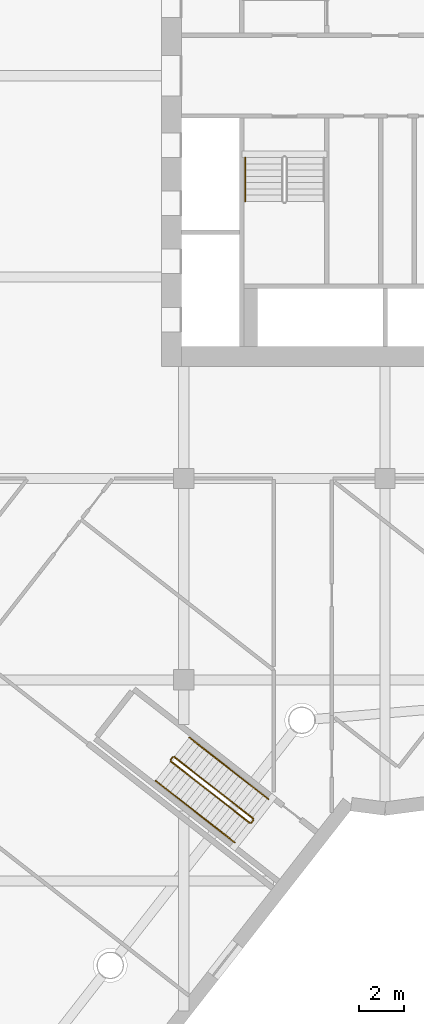
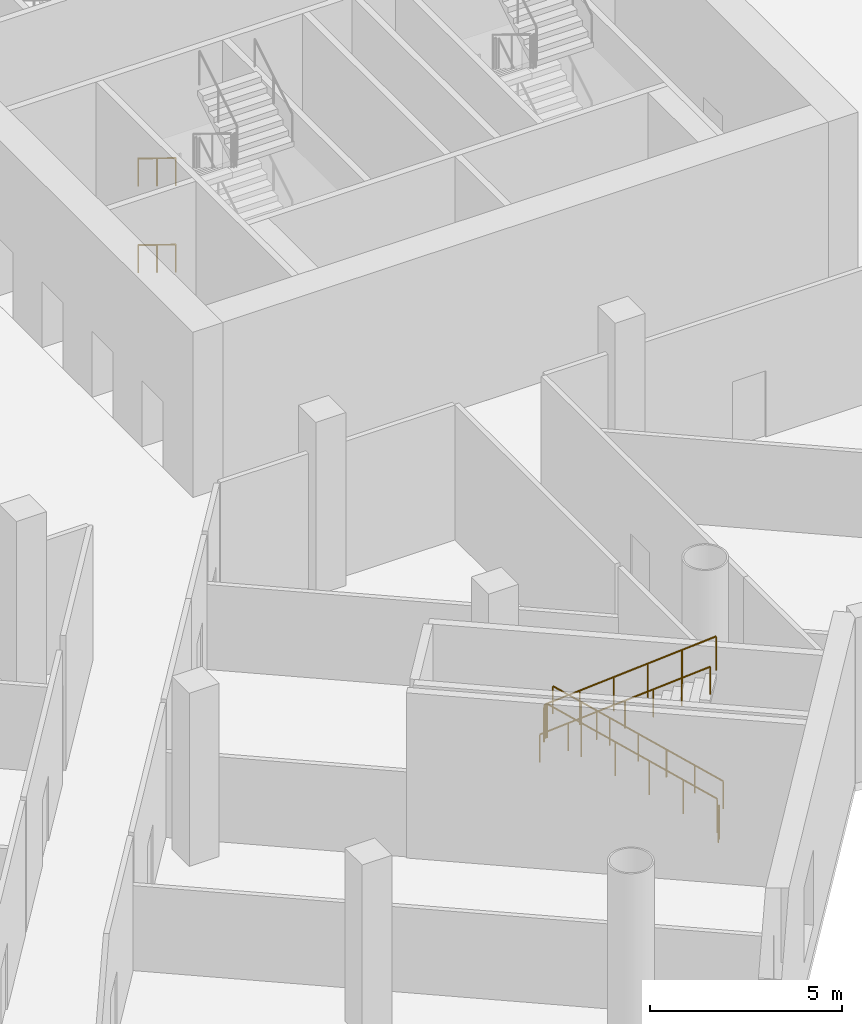
# One storey, part 20 of 23: 12 railings.
"""IFC4 building model written with IfcOpenShell, lengths in metres."""

from ifc_helpers import new_model, si_unit, direction, frame, origin, origin_2d, place, context, subcontext, project, spatial, circle, extrude, material, type_object, element, save


model = new_model("IFC4")

# Units and contexts
model_context = context("Model", 3, precision=1e-05, world=origin(), true_north=direction((0.0, 1.0)))
body_context = subcontext(model_context, "Body", "Model", "MODEL_VIEW")
ifc_project = project(units=[si_unit("LENGTHUNIT", "METRE"), si_unit("AREAUNIT", "SQUARE_METRE"), si_unit("VOLUMEUNIT", "CUBIC_METRE"), si_unit("PLANEANGLEUNIT", "RADIAN"), si_unit("MASSUNIT", "GRAM", prefix="KILO")], contexts=[model_context])

# Site, building, storey
site_placement = place(None, origin())
site = spatial("IfcSite", under=ifc_project, at=site_placement, CompositionType="ELEMENT")
building_placement = place(site_placement, origin())
building = spatial("IfcBuilding", under=site, at=building_placement, Name="Tarsis Ring Headquarters", CompositionType="ELEMENT")
storey_placement = place(building_placement, frame((0.0, 0.0, 19.5)))
storey = spatial("IfcBuildingStorey", under=building, at=storey_placement, Name="L03", CompositionType="ELEMENT", Elevation=19.5)

# Railings
ifc_material_1 = material(Name="Steel S355", Category="steel")
railing_type_1 = type_object("IfcRailingType", Name="Core stair handrail 900", PredefinedType="HANDRAIL", material=ifc_material_1)
for number, where, name in (
    (1, (-6.25, -3.659912109375, 0.171875), "L03 ST3 stair handrail 1"),
    (2, (-6.25, -3.659912109375, 2.921875), "L03 ST3 stair handrail 3"),
):
    element("IfcRailing", number, at=place(storey_placement, frame(where)), inside=storey, type_object=railing_type_1, Name=name, PredefinedType="HANDRAIL", context=body_context, shape_type="SweptSolid", body=[
        extrude(circle(Radius=0.02392578125, at=origin_2d()), frame((0.0, 0.0, 0.8759765625), z_axis=(0.0, -0.852270028233, 0.523102092307), x_axis=(1.0, 0.0, 0.0)), (0.0, 0.0, 1.0), 2.300048828125),
        extrude(circle(Radius=0.02099609375, at=origin_2d()), origin(), (0.0, 0.0, 1.0), 0.851806640625),
        extrude(circle(Radius=0.02099609375, at=origin_2d()), frame((0.0, -0.97998046875, 0.6015625)), (0.0, 0.0, 1.0), 0.851806640625),
        extrude(circle(Radius=0.02099609375, at=origin_2d()), frame((0.0, -1.960205078125, 1.203125)), (0.0, 0.0, 1.0), 0.851806640625),
    ])
ifc_material_2 = material(Name="Stainless steel", Category="steel")
railing_type_2 = type_object("IfcRailingType", Name="PO-RL-G", PredefinedType="GUARDRAIL", material=ifc_material_2)
railing_1_placement = place(storey_placement, frame((-5.8955078125, -33.202392578125, 0.161865234375)))
element("IfcRailing", 3, at=railing_1_placement, inside=storey, type_object=railing_type_2, Name="L03 PS2 stair guard 1", PredefinedType="GUARDRAIL", context=body_context, shape_type="SweptSolid", body=[
    extrude(circle(Radius=0.02392578125, at=origin_2d()), frame((0.0, 0.0, 1.076171875), z_axis=(-0.682566429488, 0.532793470816, 0.500234131974), x_axis=(-0.615312980545, -0.788282903514, 0.0)), (0.0, 0.0, 1.0), 5.173828125),
    extrude(circle(Radius=0.02099609375, at=origin_2d()), origin(), (0.0, 0.0, 1.0), 1.052001953125),
    extrude(circle(Radius=0.02099609375, at=origin_2d()), frame((-0.706298828125, 0.55126953125, 0.517578125)), (0.0, 0.0, 1.0), 1.052001953125),
    extrude(circle(Radius=0.02099609375, at=origin_2d()), frame((-1.41259765625, 1.1025390625, 1.03515625)), (0.0, 0.0, 1.0), 1.052001953125),
    extrude(circle(Radius=0.02099609375, at=origin_2d()), frame((-2.118896484375, 1.654052734375, 1.552978515625)), (0.0, 0.0, 1.0), 1.052001953125),
    extrude(circle(Radius=0.02099609375, at=origin_2d()), frame((-2.8251953125, 2.205322265625, 2.070556640625)), (0.0, 0.0, 1.0), 1.052001953125),
    extrude(circle(Radius=0.02099609375, at=origin_2d()), frame((-3.531494140625, 2.756591796875, 2.588134765625)), (0.0, 0.0, 1.0), 1.052001953125),
])
railing_2_placement = place(storey_placement, frame((-9.497314453125, -30.454345703125, 2.75)))
element("IfcRailing", 4, at=railing_2_placement, inside=storey, type_object=railing_type_2, Name="L03 PS2 stair guard 2", PredefinedType="GUARDRAIL", context=body_context, shape_type="SweptSolid", body=[
    extrude(circle(Radius=0.02392578125, at=origin_2d()), frame((0.0, 0.0, 1.076171875), z_axis=(-0.614728420867, -0.78873884688, 0.0), x_axis=(0.78873884688, -0.614728420867, 0.0)), (0.0, 0.0, 1.0), 0.150146484375),
    extrude(circle(Radius=0.02099609375, at=origin_2d()), origin(), (0.0, 0.0, 1.0), 1.052001953125),
    extrude(circle(Radius=0.02099609375, at=origin_2d()), frame((-0.09228515625, -0.118408203125, 0.0)), (0.0, 0.0, 1.0), 1.052001953125),
])
railing_3_placement = place(storey_placement, frame((-9.580810546875, -30.642822265625, 2.911865234375)))
element("IfcRailing", 5, at=railing_3_placement, inside=storey, type_object=railing_type_2, Name="L03 PS2 stair guard 3", PredefinedType="GUARDRAIL", context=body_context, shape_type="SweptSolid", body=[
    extrude(circle(Radius=0.02392578125, at=origin_2d()), frame((0.0, 0.0, 1.076171875), z_axis=(0.682566429488, -0.532793470816, 0.500234131974), x_axis=(0.615312980545, 0.788282903514, 0.0)), (0.0, 0.0, 1.0), 5.173828125),
    extrude(circle(Radius=0.02099609375, at=origin_2d()), origin(), (0.0, 0.0, 1.0), 1.052001953125),
    extrude(circle(Radius=0.02099609375, at=origin_2d()), frame((0.706298828125, -0.55126953125, 0.517578125)), (0.0, 0.0, 1.0), 1.052001953125),
    extrude(circle(Radius=0.02099609375, at=origin_2d()), frame((1.41259765625, -1.1025390625, 1.03515625)), (0.0, 0.0, 1.0), 1.052001953125),
    extrude(circle(Radius=0.02099609375, at=origin_2d()), frame((2.118896484375, -1.654052734375, 1.552978515625)), (0.0, 0.0, 1.0), 1.052001953125),
    extrude(circle(Radius=0.02099609375, at=origin_2d()), frame((2.8251953125, -2.205322265625, 2.070556640625)), (0.0, 0.0, 1.0), 1.052001953125),
    extrude(circle(Radius=0.02099609375, at=origin_2d()), frame((3.531494140625, -2.756591796875, 2.588134765625)), (0.0, 0.0, 1.0), 1.052001953125),
])
railing_4_placement = place(storey_placement, frame((-5.886962890625, -33.272705078125, 0.0)))
element("IfcRailing", 6, at=railing_4_placement, inside=storey, type_object=railing_type_2, Name="L03 PS2 stair guard 4", PredefinedType="GUARDRAIL", context=body_context, shape_type="SweptSolid", body=[
    extrude(circle(Radius=0.02392578125, at=origin_2d()), frame((0.0, 0.0, 1.076171875), z_axis=(-0.615517636689, -0.788123111528, 0.0), x_axis=(0.788123111528, -0.615517636689, 0.0)), (0.0, 0.0, 1.0), 0.14990234375),
    extrude(circle(Radius=0.02099609375, at=origin_2d()), origin(), (0.0, 0.0, 1.0), 1.052001953125),
    extrude(circle(Radius=0.02099609375, at=origin_2d()), frame((-0.09228515625, -0.1181640625, 0.0)), (0.0, 0.0, 1.0), 1.052001953125),
])
railing_type_3 = type_object("IfcRailingType", Name="PO-RL-H", PredefinedType="HANDRAIL", material=ifc_material_2)
railing_5_placement = place(storey_placement, frame((-5.21875, -32.33544921875, 0.161865234375)))
element("IfcRailing", 7, at=railing_5_placement, inside=storey, type_object=railing_type_3, Name="L03 PS2 stair handrail 1", PredefinedType="HANDRAIL", context=body_context, shape_type="SweptSolid", body=[
    extrude(circle(Radius=0.02392578125, at=origin_2d()), frame((0.0, 0.0, 0.8759765625), z_axis=(-0.682606690651, 0.532835251682, 0.500134682304), x_axis=(-0.615320410421, -0.788277103892, 0.0)), (0.0, 0.0, 1.0), 1.724609375),
    extrude(circle(Radius=0.02099609375, at=origin_2d()), origin(), (0.0, 0.0, 1.0), 0.851806640625),
    extrude(circle(Radius=0.02099609375, at=origin_2d()), frame((-0.588623046875, 0.45947265625, 0.43115234375)), (0.0, 0.0, 1.0), 0.851806640625),
    extrude(circle(Radius=0.02099609375, at=origin_2d()), frame((-1.17724609375, 0.9189453125, 0.862548828125)), (0.0, 0.0, 1.0), 0.851806640625),
])
railing_6_placement = place(storey_placement, frame((-6.39599609375, -31.41650390625, 1.0244140625)))
element("IfcRailing", 8, at=railing_6_placement, inside=storey, type_object=railing_type_3, Name="L03 PS2 stair handrail 1 bay 2", PredefinedType="HANDRAIL", context=body_context, shape_type="SweptSolid", body=[
    extrude(circle(Radius=0.02392578125, at=origin_2d()), frame((0.0, 0.0, 0.8759765625), z_axis=(-0.682482745441, 0.532849005152, 0.500289156272), x_axis=(-0.615399709994, -0.7882151971, 0.0)), (0.0, 0.0, 1.0), 1.724609375),
    extrude(circle(Radius=0.02099609375, at=origin_2d()), frame((-0.58837890625, 0.45947265625, 0.431396484375)), (0.0, 0.0, 1.0), 0.851806640625),
    extrude(circle(Radius=0.02099609375, at=origin_2d()), frame((-1.177001953125, 0.9189453125, 0.86279296875)), (0.0, 0.0, 1.0), 0.851806640625),
])
railing_7_placement = place(storey_placement, frame((-7.572998046875, -30.49755859375, 1.88720703125)))
element("IfcRailing", 9, at=railing_7_placement, inside=storey, type_object=railing_type_3, Name="L03 PS2 stair handrail 1 bay 3", PredefinedType="HANDRAIL", context=body_context, shape_type="SweptSolid", body=[
    extrude(circle(Radius=0.02392578125, at=origin_2d()), frame((0.0, 0.0, 0.8759765625), z_axis=(-0.682558360719, 0.532797525871, 0.500240822643), x_axis=(-0.615320410421, -0.788277103892, 0.0)), (0.0, 0.0, 1.0), 1.724853515625),
    extrude(circle(Radius=0.02099609375, at=origin_2d()), frame((-0.588623046875, 0.45947265625, 0.431396484375)), (0.0, 0.0, 1.0), 0.851806640625),
    extrude(circle(Radius=0.02099609375, at=origin_2d()), frame((-1.17724609375, 0.9189453125, 0.86279296875)), (0.0, 0.0, 1.0), 0.851806640625),
])
railing_8_placement = place(storey_placement, frame((-10.2578125, -31.510009765625, 2.911865234375)))
element("IfcRailing", 10, at=railing_8_placement, inside=storey, type_object=railing_type_3, Name="L03 PS2 stair handrail 2", PredefinedType="HANDRAIL", context=body_context, shape_type="SweptSolid", body=[
    extrude(circle(Radius=0.02392578125, at=origin_2d()), frame((0.0, 0.0, 0.8759765625), z_axis=(0.682606690651, -0.532835251682, 0.500134682304), x_axis=(0.615320410421, 0.788277103892, 0.0)), (0.0, 0.0, 1.0), 1.724609375),
    extrude(circle(Radius=0.02099609375, at=origin_2d()), origin(), (0.0, 0.0, 1.0), 0.851806640625),
    extrude(circle(Radius=0.02099609375, at=origin_2d()), frame((0.588623046875, -0.45947265625, 0.43115234375)), (0.0, 0.0, 1.0), 0.851806640625),
    extrude(circle(Radius=0.02099609375, at=origin_2d()), frame((1.17724609375, -0.9189453125, 0.862548828125)), (0.0, 0.0, 1.0), 0.851806640625),
])
railing_9_placement = place(storey_placement, frame((-9.08056640625, -32.428955078125, 3.7744140625)))
element("IfcRailing", 11, at=railing_9_placement, inside=storey, type_object=railing_type_3, Name="L03 PS2 stair handrail 2 bay 2", PredefinedType="HANDRAIL", context=body_context, shape_type="SweptSolid", body=[
    extrude(circle(Radius=0.02392578125, at=origin_2d()), frame((0.0, 0.0, 0.8759765625), z_axis=(0.682609836864, -0.532696146022, 0.500278549041), x_axis=(0.615218814783, 0.78835639779, 0.0)), (0.0, 0.0, 1.0), 1.724609375),
    extrude(circle(Radius=0.02099609375, at=origin_2d()), frame((0.588623046875, -0.45947265625, 0.431396484375)), (0.0, 0.0, 1.0), 0.851806640625),
    extrude(circle(Radius=0.02099609375, at=origin_2d()), frame((1.17724609375, -0.918701171875, 0.86279296875)), (0.0, 0.0, 1.0), 0.851806640625),
])
railing_10_placement = place(storey_placement, frame((-7.9033203125, -33.34765625, 4.63720703125)))
element("IfcRailing", 12, at=railing_10_placement, inside=storey, type_object=railing_type_3, Name="L03 PS2 stair handrail 2 bay 3", PredefinedType="HANDRAIL", context=body_context, shape_type="SweptSolid", body=[
    extrude(circle(Radius=0.02392578125, at=origin_2d()), frame((0.0, 0.0, 0.8759765625), z_axis=(0.682482745441, -0.532849005152, 0.500289156272), x_axis=(0.615399709994, 0.7882151971, 0.0)), (0.0, 0.0, 1.0), 1.724609375),
    extrude(circle(Radius=0.02099609375, at=origin_2d()), frame((0.58837890625, -0.45947265625, 0.431396484375)), (0.0, 0.0, 1.0), 0.851806640625),
    extrude(circle(Radius=0.02099609375, at=origin_2d()), frame((1.177001953125, -0.9189453125, 0.86279296875)), (0.0, 0.0, 1.0), 0.851806640625),
])

save(model, "model.ifc")
